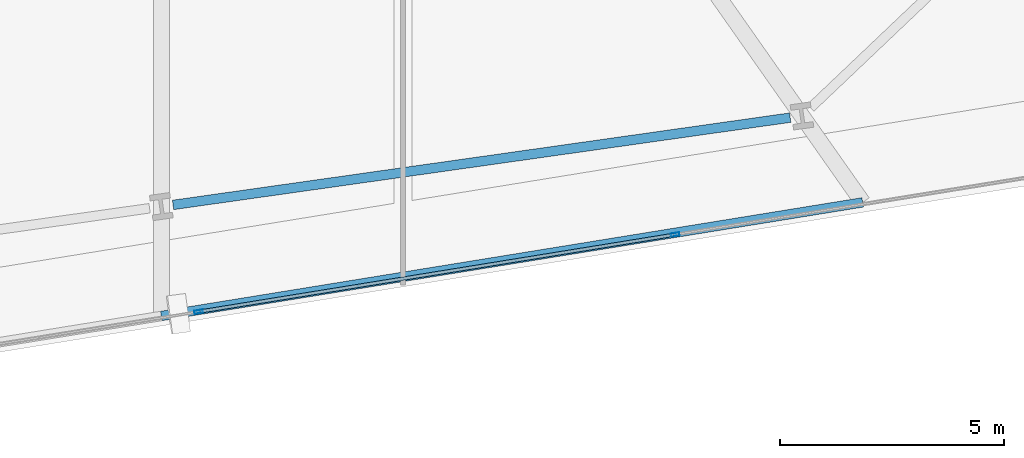
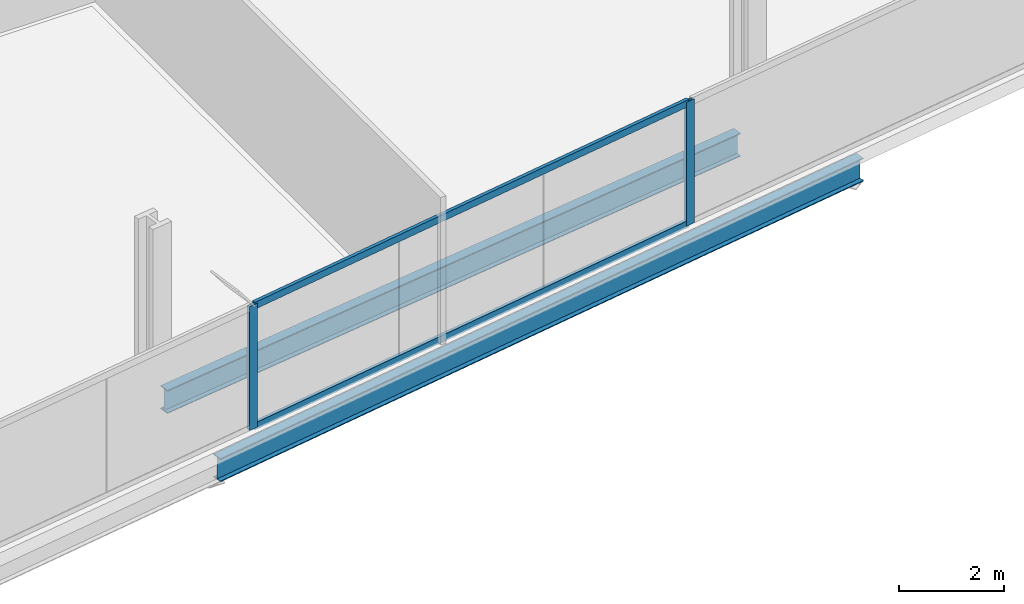
# One storey, part 9 of 33: 4 members, 2 beams, 1 element without a shape of its own.
"""IFC4 building model written with IfcOpenShell, lengths in metres."""

from ifc_helpers import new_model, si_unit, direction, frame, origin, origin_2d, place, context, subcontext, project, spatial, hollow_rectangle, i_section, extrude, material, material_profile, profile_set, type_object, element, aggregate, save


model = new_model("IFC4")

# Units and contexts
model_context = context("Model", 3, precision=1e-05, world=origin(), true_north=direction((0.0, 1.0)))
body_context = subcontext(model_context, "Body", "Model", "MODEL_VIEW")
ifc_project = project(units=[si_unit("LENGTHUNIT", "METRE"), si_unit("AREAUNIT", "SQUARE_METRE"), si_unit("VOLUMEUNIT", "CUBIC_METRE"), si_unit("PLANEANGLEUNIT", "RADIAN"), si_unit("MASSUNIT", "GRAM", prefix="KILO")], contexts=[model_context])

# Site, building, storey
site_placement = place(None, origin())
site = spatial("IfcSite", under=ifc_project, at=site_placement, CompositionType="ELEMENT")
building_placement = place(site_placement, origin())
building = spatial("IfcBuilding", under=site, at=building_placement, Name="Haldenkirk Collegiate Tower", CompositionType="ELEMENT")
storey_placement = place(building_placement, frame((0.0, 0.0, 58.949951171875)))
storey = spatial("IfcBuildingStorey", under=building, at=storey_placement, Name="L13", CompositionType="ELEMENT", Elevation=58.949951171875)

# Beams
ifc_material_1 = material(Name="Steel ASTM A992 Grade 50", Category="steel")
ifc_material_profile_1 = material_profile(ifc_material_1, i_section(OverallWidth=0.2119140625, OverallDepth=0.5439453125, WebThickness=0.01318359375, FlangeThickness=0.021240234375, at=origin_2d()), Name="W21X83")
ifc_profile_set_1 = profile_set([ifc_material_profile_1], Name="Steel ASTM A992 Grade 50")
beam_type = type_object("IfcBeamType", Name="BM-SPANDREL-W21X83", PredefinedType="SPANDREL", material=ifc_profile_set_1)
beam_1_placement = place(storey_placement, frame((39.37060546875, 4.055908203125, -0.58203125), z_axis=(0.990146197746, 0.14003752029, 0.0), x_axis=(-0.14003752029, 0.990146197746, 0.0)))
element("IfcBeam", 1, at=beam_1_placement, inside=storey, type_object=beam_type, Name="L13 perimeter spandrel beam 03", PredefinedType="SPANDREL", context=body_context, shape_type="SweptSolid", body=[
    extrude(i_section(OverallWidth=0.2119140625, OverallDepth=0.5439453125, WebThickness=0.01318359375, FlangeThickness=0.021240234375, at=origin_2d()), origin(), (0.0, 0.0, 1.0), 13.906982421875),
])
beam_2_placement = place(storey_placement, frame((39.10888671875, 1.577880859375, -0.58203125), z_axis=(0.987136568328, 0.159879315326, 0.0), x_axis=(-0.159879315326, 0.987136568328, 0.0)))
element("IfcBeam", 2, at=beam_2_placement, inside=storey, type_object=beam_type, Name="L13 outer facade edge beam 1B", PredefinedType="SPANDREL", context=body_context, shape_type="SweptSolid", body=[
    extrude(i_section(OverallWidth=0.2119140625, OverallDepth=0.5439453125, WebThickness=0.01318359375, FlangeThickness=0.021240234375, at=origin_2d()), origin(), (0.0, 0.0, 1.0), 15.85205078125),
])

# Curtain wall, members
ifc_material_2 = material(Name="Anodised architectural bronze aluminium", Category="aluminium")
curtain_wall_type = type_object("IfcCurtainWallType", Name="CW-SYS2-CONCAVE", PredefinedType="USERDEFINED", material=ifc_material_2)
curtain_wall_placement = place(storey_placement, origin())
curtain_wall = element("IfcCurtainWall", 3, at=curtain_wall_placement, inside=storey, type_object=curtain_wall_type, Name="L13 South concave recessed bronze-anodised curtain wall", ObjectType="UNITISED CURTAIN WALL", PredefinedType="USERDEFINED")
ifc_material_profile_2 = material_profile(ifc_material_2, hollow_rectangle(XDim=0.074951171875, YDim=0.18994140625, WallThickness=0.0048828125, at=origin_2d()), Name="CW-MUL-02")
ifc_profile_set_2 = profile_set([ifc_material_profile_2], Name="Anodised architectural bronze aluminium")
member_type_1 = type_object("IfcMemberType", Name="CW-MUL-02", PredefinedType="MULLION", material=ifc_profile_set_2)
member_1_placement = place(storey_placement, frame((50.57666015625, 3.394775390625, 0.0), z_axis=(0.0, 0.0, 1.0), x_axis=(0.159881193222, -0.987136264177, 0.0)))
member_1 = element("IfcMember", 4, at=member_1_placement, type_object=member_type_1, Name="CW-02 mullion 2", PredefinedType="MULLION", context=body_context, shape_type="SweptSolid", body=[
    extrude(hollow_rectangle(XDim=0.074951171875, YDim=0.18994140625, WallThickness=0.0048828125, at=origin_2d()), origin(), (0.0, 0.0, 1.0), 2.89111328125),
])
member_2_placement = place(storey_placement, frame((39.940185546875, 1.672119140625, 0.0), z_axis=(0.0, 0.0, 1.0), x_axis=(0.159881193222, -0.987136264177, 0.0)))
member_2 = element("IfcMember", 5, at=member_2_placement, type_object=member_type_1, Name="CW-02 mullion 3", PredefinedType="MULLION", context=body_context, shape_type="SweptSolid", body=[
    extrude(hollow_rectangle(XDim=0.074951171875, YDim=0.18994140625, WallThickness=0.0048828125, at=origin_2d()), origin(), (0.0, 0.0, 1.0), 2.89111328125),
])
ifc_material_profile_3 = material_profile(ifc_material_2, hollow_rectangle(XDim=0.074951171875, YDim=0.159912109375, WallThickness=0.0048828125, at=origin_2d()), Name="CW-TRN-02")
ifc_profile_set_3 = profile_set([ifc_material_profile_3], Name="Anodised architectural bronze aluminium")
member_type_2 = type_object("IfcMemberType", Name="CW-TRN-02", PredefinedType="USERDEFINED", material=ifc_profile_set_3)
member_3_placement = place(storey_placement, frame((50.53955078125, 3.388671875, 0.03759765625), z_axis=(-0.987136542372, -0.159879475589, 0.0), x_axis=(0.159879475589, -0.987136542372, 0.0)))
member_3 = element("IfcMember", 6, at=member_3_placement, type_object=member_type_2, Name="CW-02 transom 2.1", ObjectType="TRANSOM", PredefinedType="USERDEFINED", context=body_context, shape_type="SweptSolid", body=[
    extrude(hollow_rectangle(XDim=0.074951171875, YDim=0.159912109375, WallThickness=0.0048828125, at=origin_2d()), origin(), (0.0, 0.0, 1.0), 10.699951171875),
])
member_4_placement = place(storey_placement, frame((50.53955078125, 3.388671875, 2.853515625), z_axis=(-0.987136542372, -0.159879475589, 0.0), x_axis=(0.159879475589, -0.987136542372, 0.0)))
member_4 = element("IfcMember", 7, at=member_4_placement, type_object=member_type_2, Name="CW-02 transom 2.2", ObjectType="TRANSOM", PredefinedType="USERDEFINED", context=body_context, shape_type="SweptSolid", body=[
    extrude(hollow_rectangle(XDim=0.074951171875, YDim=0.159912109375, WallThickness=0.0048828125, at=origin_2d()), origin(), (0.0, 0.0, 1.0), 10.699951171875),
])
aggregate(curtain_wall, [member_1, member_2, member_3, member_4])

save(model, "model.ifc")
